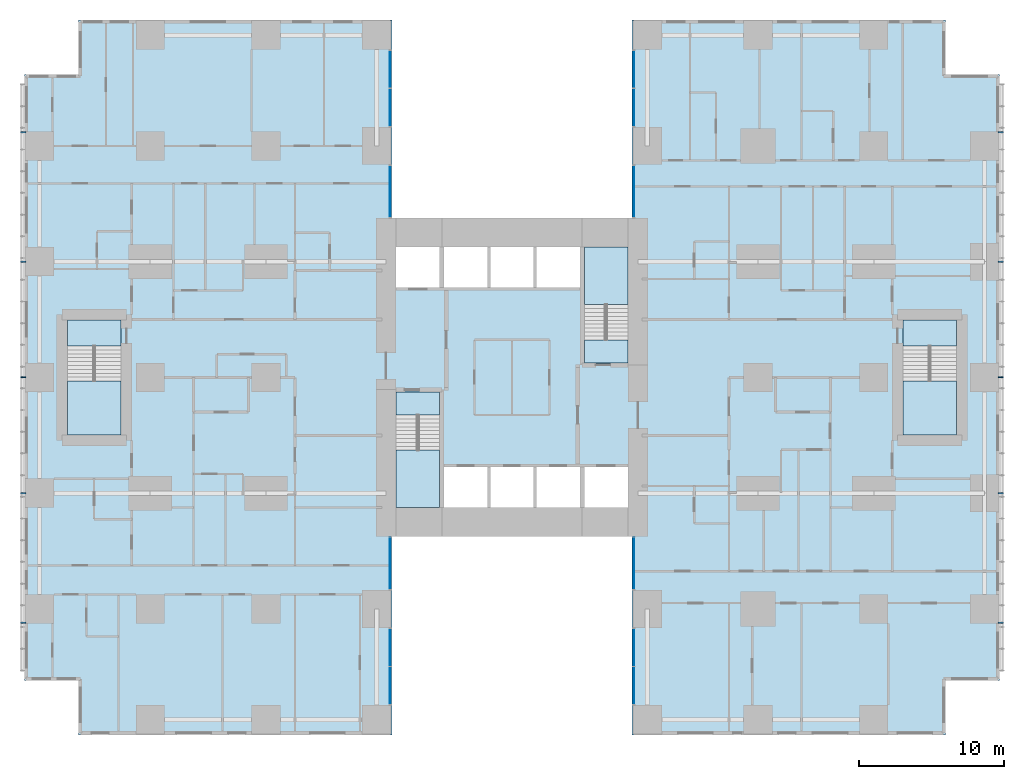
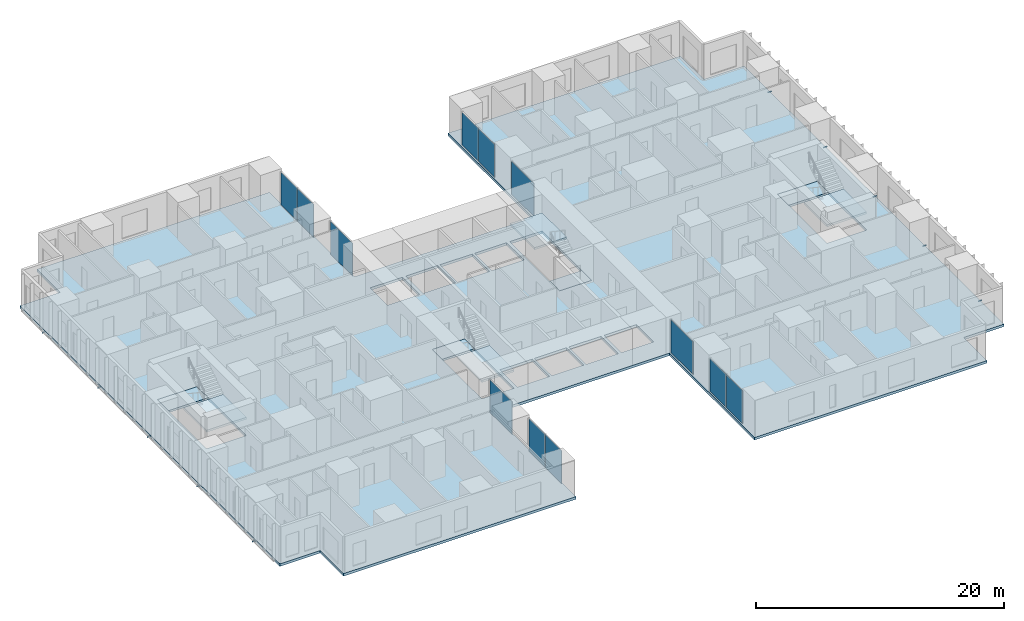
# One storey, part 7 of 20: 12 plates, 10 members, 9 slabs, 12 elements without a shape of their own.
"""IFC4 building model written with IfcOpenShell, lengths in metres."""

from ifc_helpers import new_model, si_unit, direction, frame, origin, origin_2d, place, context, subcontext, project, spatial, polyline, rectangle, hollow_rectangle, outline, extrude, material, layer, layer_set, material_profile, profile_set, type_object, element, aggregate, save


model = new_model("IFC4")

# Units and contexts
model_context = context("Model", 3, precision=1e-05, world=origin(), true_north=direction((0.0, 1.0)))
body_context = subcontext(model_context, "Body", "Model", "MODEL_VIEW")
ifc_project = project(units=[si_unit("LENGTHUNIT", "METRE"), si_unit("AREAUNIT", "SQUARE_METRE"), si_unit("VOLUMEUNIT", "CUBIC_METRE"), si_unit("PLANEANGLEUNIT", "RADIAN"), si_unit("MASSUNIT", "GRAM", prefix="KILO")], contexts=[model_context])

# Site, building, storey
site_placement = place(None, origin())
site = spatial("IfcSite", under=ifc_project, at=site_placement, CompositionType="ELEMENT")
building_placement = place(site_placement, origin())
building = spatial("IfcBuilding", under=site, at=building_placement, Name="Cleftline Residences", CompositionType="ELEMENT")
storey_placement = place(building_placement, frame((0.0, 0.0, 143.0)))
storey = spatial("IfcBuildingStorey", under=building, at=storey_placement, Name="L37", CompositionType="ELEMENT", Elevation=143.0)

# Members
ifc_material_1 = material(Name="Steel S355, hot-dip galvanised", Category="steel")
ifc_material_profile = material_profile(ifc_material_1, hollow_rectangle(XDim=0.10009765625, YDim=0.10009765625, WallThickness=0.008056640625, InnerFilletRadius=0.008056640625, OuterFilletRadius=0.011962890625, at=origin_2d()))
ifc_profile_set = profile_set([ifc_material_profile], Name="Steel S355, hot-dip galvanised")
member_type = type_object("IfcMemberType", Name="BAGUETTE BRACKET SHS 100X100X8", PredefinedType="USERDEFINED", material=ifc_profile_set)
for number, where, z_axis, x_axis, name in (
    (1, (66.60009765625, 7.050048828125, -0.14990234375), (1.0, 0.0, 0.0), (0.0, 1.0, 0.0), "Baguette bracket"),
    (2, (66.60009765625, 16.0, -0.14990234375), (1.0, 0.0, 0.0), (0.0, 1.0, 0.0), "Baguette bracket"),
    (3, (66.60009765625, 24.0, -0.14990234375), (1.0, 0.0, 0.0), (0.0, 1.0, 0.0), "Baguette bracket"),
    (4, (66.60009765625, 32.0, -0.14990234375), (1.0, 0.0, 0.0), (0.0, 1.0, 0.0), "Baguette bracket"),
    (5, (66.60009765625, 40.949951171875, -0.14990234375), (1.0, 0.0, 0.0), (0.0, 1.0, 0.0), "Baguette bracket"),
    (6, (-0.60009765625, 40.949951171875, -0.14990234375), (-1.0, 0.0, 0.0), (0.0, -1.0, 0.0), "Baguette bracket"),
    (7, (-0.60009765625, 32.0, -0.14990234375), (-1.0, 0.0, 0.0), (0.0, -1.0, 0.0), "Baguette bracket"),
    (8, (-0.60009765625, 24.0, -0.14990234375), (-1.0, 0.0, 0.0), (0.0, -1.0, 0.0), "Baguette bracket"),
    (9, (-0.60009765625, 16.0, -0.14990234375), (-1.0, 0.0, 0.0), (0.0, -1.0, 0.0), "Baguette bracket"),
    (10, (-0.60009765625, 7.050048828125, -0.14990234375), (-1.0, 0.0, 0.0), (0.0, -1.0, 0.0), "Baguette bracket"),
):
    element("IfcMember", number, at=place(storey_placement, frame(where, z_axis=z_axis, x_axis=x_axis)), inside=storey, type_object=member_type, Name=name, ObjectType="BAGUETTE BRACKET", PredefinedType="USERDEFINED", context=body_context, shape_type="SweptSolid", body=[
        extrude(hollow_rectangle(XDim=0.10009765625, YDim=0.10009765625, WallThickness=0.008056640625, InnerFilletRadius=0.008056640625, OuterFilletRadius=0.011962890625, at=origin_2d()), origin(), (0.0, 0.0, 1.0), 0.349853515625),
    ])

# Curtain wall, plates
ifc_material_2 = material(Name="Aluminium framed curtain wall", Category="aluminium")
ifc_layer_1 = layer(ifc_material_2, 0.199951171875)
ifc_layer_set_1 = layer_set([ifc_layer_1], Name="CW1 CLEFT GLAZING")
curtain_wall_type = type_object("IfcCurtainWallType", Name="CW1 CLEFT GLAZING", PredefinedType="NOTDEFINED", material=ifc_layer_set_1)
curtain_wall_1_placement = place(storey_placement, origin())
curtain_wall_1 = element("IfcCurtainWall", 11, at=curtain_wall_1_placement, inside=storey, type_object=curtain_wall_type, Name="Curtain wall CW1", PredefinedType="NOTDEFINED")
ifc_material_3 = material(Name="Laminated clear glass", Category="glass")
ifc_layer_2 = layer(ifc_material_3, 0.028076171875)
ifc_layer_set_2 = layer_set([ifc_layer_2], Name="CW1 GLASS PANEL")
plate_type = type_object("IfcPlateType", Name="CW1 GLASS PANEL", PredefinedType="CURTAIN_PANEL", material=ifc_layer_set_2)
plate_1_placement = place(storey_placement, frame((24.574951171875, 2.702392578125, 0.06005859375), z_axis=(0.0, 0.0, 1.0), x_axis=(0.0, 1.0, 0.0)))
plate_1 = element("IfcPlate", 12, at=plate_1_placement, type_object=plate_type, Name="CW1 panel 1.1", PredefinedType="CURTAIN_PANEL", context=body_context, shape_type="SweptSolid", body=[
    extrude(rectangle(XDim=2.5849609375, YDim=0.028076171875, at=origin_2d()), origin(), (0.0, 0.0, 1.0), 3.22998046875),
])
plate_2_placement = place(storey_placement, frame((24.574951171875, 5.347412109375, 0.06005859375), z_axis=(0.0, 0.0, 1.0), x_axis=(0.0, 1.0, 0.0)))
plate_2 = element("IfcPlate", 13, at=plate_2_placement, type_object=plate_type, Name="CW1 panel 2.1", PredefinedType="CURTAIN_PANEL", context=body_context, shape_type="SweptSolid", body=[
    extrude(rectangle(XDim=2.5849609375, YDim=0.028076171875, at=origin_2d()), origin(), (0.0, 0.0, 1.0), 3.22998046875),
])
aggregate(curtain_wall_1, [plate_1, plate_2])

# Curtain wall, plate
curtain_wall_2_placement = place(storey_placement, origin())
curtain_wall_2 = element("IfcCurtainWall", 14, at=curtain_wall_2_placement, inside=storey, type_object=curtain_wall_type, Name="Curtain wall CW1", PredefinedType="NOTDEFINED")
plate_3_placement = place(storey_placement, frame((24.574951171875, 11.14990234375, 0.06005859375), z_axis=(0.0, 0.0, 1.0), x_axis=(0.0, 1.0, 0.0)))
plate_3 = element("IfcPlate", 15, at=plate_3_placement, type_object=plate_type, Name="CW1 panel 1.1", PredefinedType="CURTAIN_PANEL", context=body_context, shape_type="SweptSolid", body=[
    extrude(rectangle(XDim=3.580078125, YDim=0.028076171875, at=origin_2d()), origin(), (0.0, 0.0, 1.0), 3.22998046875),
])
aggregate(curtain_wall_2, [plate_3])

curtain_wall_3_placement = place(storey_placement, origin())
curtain_wall_3 = element("IfcCurtainWall", 16, at=curtain_wall_3_placement, inside=storey, type_object=curtain_wall_type, Name="Curtain wall CW1", PredefinedType="NOTDEFINED")
plate_4_placement = place(storey_placement, frame((41.425048828125, 11.14990234375, 0.06005859375), z_axis=(0.0, 0.0, 1.0), x_axis=(0.0, -1.0, 0.0)))
plate_4 = element("IfcPlate", 17, at=plate_4_placement, type_object=plate_type, Name="CW1 panel 1.1", PredefinedType="CURTAIN_PANEL", context=body_context, shape_type="SweptSolid", body=[
    extrude(rectangle(XDim=3.580078125, YDim=0.028076171875, at=origin_2d()), origin(), (0.0, 0.0, 1.0), 3.22998046875),
])
aggregate(curtain_wall_3, [plate_4])

# Curtain wall, plates
curtain_wall_4_placement = place(storey_placement, origin())
curtain_wall_4 = element("IfcCurtainWall", 18, at=curtain_wall_4_placement, inside=storey, type_object=curtain_wall_type, Name="Curtain wall CW1", PredefinedType="NOTDEFINED")
plate_5_placement = place(storey_placement, frame((41.425048828125, 5.347412109375, 0.06005859375), z_axis=(0.0, 0.0, 1.0), x_axis=(0.0, -1.0, 0.0)))
plate_5 = element("IfcPlate", 19, at=plate_5_placement, type_object=plate_type, Name="CW1 panel 1.1", PredefinedType="CURTAIN_PANEL", context=body_context, shape_type="SweptSolid", body=[
    extrude(rectangle(XDim=2.5849609375, YDim=0.028076171875, at=origin_2d()), origin(), (0.0, 0.0, 1.0), 3.22998046875),
])
plate_6_placement = place(storey_placement, frame((41.425048828125, 2.702392578125, 0.06005859375), z_axis=(0.0, 0.0, 1.0), x_axis=(0.0, -1.0, 0.0)))
plate_6 = element("IfcPlate", 20, at=plate_6_placement, type_object=plate_type, Name="CW1 panel 2.1", PredefinedType="CURTAIN_PANEL", context=body_context, shape_type="SweptSolid", body=[
    extrude(rectangle(XDim=2.5849609375, YDim=0.028076171875, at=origin_2d()), origin(), (0.0, 0.0, 1.0), 3.22998046875),
])
aggregate(curtain_wall_4, [plate_5, plate_6])

curtain_wall_5_placement = place(storey_placement, origin())
curtain_wall_5 = element("IfcCurtainWall", 21, at=curtain_wall_5_placement, inside=storey, type_object=curtain_wall_type, Name="Curtain wall CW1", PredefinedType="NOTDEFINED")
plate_7_placement = place(storey_placement, frame((41.425048828125, 45.297607421875, 0.06005859375), z_axis=(0.0, 0.0, 1.0), x_axis=(0.0, -1.0, 0.0)))
plate_7 = element("IfcPlate", 22, at=plate_7_placement, type_object=plate_type, Name="CW1 panel 1.1", PredefinedType="CURTAIN_PANEL", context=body_context, shape_type="SweptSolid", body=[
    extrude(rectangle(XDim=2.5849609375, YDim=0.028076171875, at=origin_2d()), origin(), (0.0, 0.0, 1.0), 3.22998046875),
])
plate_8_placement = place(storey_placement, frame((41.425048828125, 42.652587890625, 0.06005859375), z_axis=(0.0, 0.0, 1.0), x_axis=(0.0, -1.0, 0.0)))
plate_8 = element("IfcPlate", 23, at=plate_8_placement, type_object=plate_type, Name="CW1 panel 2.1", PredefinedType="CURTAIN_PANEL", context=body_context, shape_type="SweptSolid", body=[
    extrude(rectangle(XDim=2.5849609375, YDim=0.028076171875, at=origin_2d()), origin(), (0.0, 0.0, 1.0), 3.22998046875),
])
aggregate(curtain_wall_5, [plate_7, plate_8])

# Curtain wall, plate
curtain_wall_6_placement = place(storey_placement, origin())
curtain_wall_6 = element("IfcCurtainWall", 24, at=curtain_wall_6_placement, inside=storey, type_object=curtain_wall_type, Name="Curtain wall CW1", PredefinedType="NOTDEFINED")
plate_9_placement = place(storey_placement, frame((41.425048828125, 36.85009765625, 0.06005859375), z_axis=(0.0, 0.0, 1.0), x_axis=(0.0, -1.0, 0.0)))
plate_9 = element("IfcPlate", 25, at=plate_9_placement, type_object=plate_type, Name="CW1 panel 1.1", PredefinedType="CURTAIN_PANEL", context=body_context, shape_type="SweptSolid", body=[
    extrude(rectangle(XDim=3.580078125, YDim=0.028076171875, at=origin_2d()), origin(), (0.0, 0.0, 1.0), 3.22998046875),
])
aggregate(curtain_wall_6, [plate_9])

curtain_wall_7_placement = place(storey_placement, origin())
curtain_wall_7 = element("IfcCurtainWall", 26, at=curtain_wall_7_placement, inside=storey, type_object=curtain_wall_type, Name="Curtain wall CW1", PredefinedType="NOTDEFINED")
plate_10_placement = place(storey_placement, frame((24.574951171875, 36.85009765625, 0.06005859375), z_axis=(0.0, 0.0, 1.0), x_axis=(0.0, 1.0, 0.0)))
plate_10 = element("IfcPlate", 27, at=plate_10_placement, type_object=plate_type, Name="CW1 panel 1.1", PredefinedType="CURTAIN_PANEL", context=body_context, shape_type="SweptSolid", body=[
    extrude(rectangle(XDim=3.580078125, YDim=0.028076171875, at=origin_2d()), origin(), (0.0, 0.0, 1.0), 3.22998046875),
])
aggregate(curtain_wall_7, [plate_10])

# Curtain wall, plates
curtain_wall_8_placement = place(storey_placement, origin())
curtain_wall_8 = element("IfcCurtainWall", 28, at=curtain_wall_8_placement, inside=storey, type_object=curtain_wall_type, Name="Curtain wall CW1", PredefinedType="NOTDEFINED")
plate_11_placement = place(storey_placement, frame((24.574951171875, 42.652587890625, 0.06005859375), z_axis=(0.0, 0.0, 1.0), x_axis=(0.0, 1.0, 0.0)))
plate_11 = element("IfcPlate", 29, at=plate_11_placement, type_object=plate_type, Name="CW1 panel 1.1", PredefinedType="CURTAIN_PANEL", context=body_context, shape_type="SweptSolid", body=[
    extrude(rectangle(XDim=2.5849609375, YDim=0.028076171875, at=origin_2d()), origin(), (0.0, 0.0, 1.0), 3.22998046875),
])
plate_12_placement = place(storey_placement, frame((24.574951171875, 45.297607421875, 0.06005859375), z_axis=(0.0, 0.0, 1.0), x_axis=(0.0, 1.0, 0.0)))
plate_12 = element("IfcPlate", 30, at=plate_12_placement, type_object=plate_type, Name="CW1 panel 2.1", PredefinedType="CURTAIN_PANEL", context=body_context, shape_type="SweptSolid", body=[
    extrude(rectangle(XDim=2.5849609375, YDim=0.028076171875, at=origin_2d()), origin(), (0.0, 0.0, 1.0), 3.22998046875),
])
aggregate(curtain_wall_8, [plate_11, plate_12])

# Slab
ifc_material_4 = material(Name="Concrete B45", Category="concrete")
ifc_layer_3 = layer(ifc_material_4, 0.25)
ifc_layer_set_3 = layer_set([ifc_layer_3], Name="FLOOR SLAB 250")
slab_type_1 = type_object("IfcSlabType", Name="FLOOR SLAB 250", PredefinedType="FLOOR", material=ifc_layer_set_3)
slab_1_placement = place(storey_placement, frame((0.0, 0.0, -0.25)))
element("IfcSlab", 31, at=slab_1_placement, inside=storey, type_object=slab_type_1, Name="Floor slab L37", PredefinedType="FLOOR", context=body_context, shape_type="SweptSolid", body=[
    extrude(outline(polyline([(24.699951171875, 13.0), (41.300048828125, 13.0), (41.300048828125, -0.699951171875), (62.949951171875, -0.699951171875), (62.949951171875, 3.050048828125), (66.699951171875, 3.050048828125), (66.699951171875, 44.949951171875), (62.949951171875, 44.949951171875), (62.949951171875, 48.699951171875), (41.300048828125, 48.699951171875), (41.300048828125, 35.0), (24.699951171875, 35.0), (24.699951171875, 48.699951171875), (3.050048828125, 48.699951171875), (3.050048828125, 44.949951171875), (-0.699951171875, 44.949951171875), (-0.699951171875, 3.050048828125), (3.050048828125, 3.050048828125), (3.050048828125, -0.699951171875), (24.699951171875, -0.699951171875), (24.699951171875, 13.0)]), holes=[polyline([(28.0, 15.0), (28.0, 23.0), (25.0, 23.0), (25.0, 15.0), (28.0, 15.0)]), polyline([(41.0, 25.0), (41.0, 33.0), (38.0, 33.0), (38.0, 25.0), (41.0, 25.0)]), polyline([(28.0, 30.199951171875), (28.0, 33.0), (25.0, 33.0), (25.0, 30.199951171875), (28.0, 30.199951171875)]), polyline([(41.0, 15.0), (41.0, 17.800048828125), (38.0, 17.800048828125), (38.0, 15.0), (41.0, 15.0)]), polyline([(31.300048828125, 15.0), (31.300048828125, 17.800048828125), (28.300048828125, 17.800048828125), (28.300048828125, 15.0), (31.300048828125, 15.0)]), polyline([(34.5, 15.0), (34.5, 17.800048828125), (31.5, 17.800048828125), (31.5, 15.0), (34.5, 15.0)]), polyline([(37.699951171875, 15.0), (37.699951171875, 17.800048828125), (34.699951171875, 17.800048828125), (34.699951171875, 15.0), (37.699951171875, 15.0)]), polyline([(31.300048828125, 30.199951171875), (31.300048828125, 33.0), (28.300048828125, 33.0), (28.300048828125, 30.199951171875), (31.300048828125, 30.199951171875)]), polyline([(34.5, 30.199951171875), (34.5, 33.0), (31.5, 33.0), (31.5, 30.199951171875), (34.5, 30.199951171875)]), polyline([(37.699951171875, 30.199951171875), (37.699951171875, 33.0), (34.699951171875, 33.0), (34.699951171875, 30.199951171875), (37.699951171875, 30.199951171875)]), polyline([(63.72509765625, 20.02490234375), (63.72509765625, 27.97509765625), (60.02490234375, 27.97509765625), (60.02490234375, 20.02490234375), (63.72509765625, 20.02490234375)]), polyline([(5.97509765625, 20.02490234375), (5.97509765625, 27.97509765625), (2.27490234375, 27.97509765625), (2.27490234375, 20.02490234375), (5.97509765625, 20.02490234375)])]), origin(), (0.0, 0.0, 1.0), 0.25),
])

# Stair, slabs
ifc_material_5 = material(Name="Concrete B45, stone treads", Category="masonry")
stair_type_1 = type_object("IfcStairType", Name="STAIR A 1450 WIDE 180 RISER", PredefinedType="HALF_TURN_STAIR", material=ifc_material_5)
stair_1_placement = place(storey_placement, origin())
stair_1 = element("IfcStair", 32, at=stair_1_placement, inside=storey, type_object=stair_type_1, Name="Stair A L37", PredefinedType="HALF_TURN_STAIR")
ifc_material_6 = material(Name="Concrete B45", Category="concrete")
ifc_layer_4 = layer(ifc_material_6, 0.199951171875)
ifc_layer_set_4 = layer_set([ifc_layer_4], Name="STAIR LANDING 200")
slab_type_2 = type_object("IfcSlabType", Name="STAIR LANDING 200", PredefinedType="LANDING", material=ifc_layer_set_4)
slab_2_placement = place(storey_placement, frame((0.0, 0.0, -0.199951171875)))
slab_2 = element("IfcSlab", 33, at=slab_2_placement, type_object=slab_type_2, Name="ST-A landing 1", PredefinedType="LANDING", context=body_context, shape_type="SweptSolid", body=[
    extrude(outline(polyline([(25.0, 21.39990234375), (28.0, 21.39990234375), (28.0, 23.0), (25.0, 23.0), (25.0, 21.39990234375)])), origin(), (0.0, 0.0, 1.0), 0.199951171875),
])
slab_3_placement = place(storey_placement, frame((0.0, 0.0, 1.60009765625)))
slab_3 = element("IfcSlab", 34, at=slab_3_placement, type_object=slab_type_2, Name="ST-A landing 2", PredefinedType="LANDING", context=body_context, shape_type="SweptSolid", body=[
    extrude(outline(polyline([(25.0, 15.0), (28.0, 15.0), (28.0, 18.969970703125), (25.0, 18.969970703125), (25.0, 15.0)])), origin(), (0.0, 0.0, 1.0), 0.199951171875),
])
aggregate(stair_1, [slab_2, slab_3])

ifc_material_7 = material(Name="Concrete B45, stone treads", Category="masonry")
stair_type_2 = type_object("IfcStairType", Name="STAIR B 1450 WIDE 180 RISER", PredefinedType="HALF_TURN_STAIR", material=ifc_material_7)
stair_2_placement = place(storey_placement, origin())
stair_2 = element("IfcStair", 35, at=stair_2_placement, inside=storey, type_object=stair_type_2, Name="Stair B L37", PredefinedType="HALF_TURN_STAIR")
slab_4_placement = place(storey_placement, frame((0.0, 0.0, -0.199951171875)))
slab_4 = element("IfcSlab", 36, at=slab_4_placement, type_object=slab_type_2, Name="ST-B landing 1", PredefinedType="LANDING", context=body_context, shape_type="SweptSolid", body=[
    extrude(outline(polyline([(38.0, 25.0), (41.0, 25.0), (41.0, 26.60009765625), (38.0, 26.60009765625), (38.0, 25.0)])), origin(), (0.0, 0.0, 1.0), 0.199951171875),
])
slab_5_placement = place(storey_placement, frame((0.0, 0.0, 1.60009765625)))
slab_5 = element("IfcSlab", 37, at=slab_5_placement, type_object=slab_type_2, Name="ST-B landing 2", PredefinedType="LANDING", context=body_context, shape_type="SweptSolid", body=[
    extrude(outline(polyline([(38.0, 29.030029296875), (41.0, 29.030029296875), (41.0, 33.0), (38.0, 33.0), (38.0, 29.030029296875)])), origin(), (0.0, 0.0, 1.0), 0.199951171875),
])
aggregate(stair_2, [slab_4, slab_5])

ifc_material_8 = material(Name="Concrete B45, stone treads", Category="masonry")
stair_type_3 = type_object("IfcStairType", Name="STAIR E 1800 WIDE 180 RISER", PredefinedType="HALF_TURN_STAIR", material=ifc_material_8)
stair_3_placement = place(storey_placement, origin())
stair_3 = element("IfcStair", 38, at=stair_3_placement, inside=storey, type_object=stair_type_3, Name="Stair E L37", PredefinedType="HALF_TURN_STAIR")
slab_6_placement = place(storey_placement, frame((0.0, 0.0, -0.199951171875)))
slab_6 = element("IfcSlab", 39, at=slab_6_placement, type_object=slab_type_2, Name="ST-E landing 1", PredefinedType="LANDING", context=body_context, shape_type="SweptSolid", body=[
    extrude(outline(polyline([(60.02490234375, 26.175048828125), (63.72509765625, 26.175048828125), (63.72509765625, 27.97509765625), (60.02490234375, 27.97509765625), (60.02490234375, 26.175048828125)])), origin(), (0.0, 0.0, 1.0), 0.199951171875),
])
slab_7_placement = place(storey_placement, frame((0.0, 0.0, 1.60009765625)))
slab_7 = element("IfcSlab", 40, at=slab_7_placement, type_object=slab_type_2, Name="ST-E landing 2", PredefinedType="LANDING", context=body_context, shape_type="SweptSolid", body=[
    extrude(outline(polyline([(60.02490234375, 20.02490234375), (63.72509765625, 20.02490234375), (63.72509765625, 23.7451171875), (60.02490234375, 23.7451171875), (60.02490234375, 20.02490234375)])), origin(), (0.0, 0.0, 1.0), 0.199951171875),
])
aggregate(stair_3, [slab_6, slab_7])

ifc_material_9 = material(Name="Concrete B45, stone treads", Category="masonry")
stair_type_4 = type_object("IfcStairType", Name="STAIR W 1800 WIDE 180 RISER", PredefinedType="HALF_TURN_STAIR", material=ifc_material_9)
stair_4_placement = place(storey_placement, origin())
stair_4 = element("IfcStair", 41, at=stair_4_placement, inside=storey, type_object=stair_type_4, Name="Stair W L37", PredefinedType="HALF_TURN_STAIR")
slab_8_placement = place(storey_placement, frame((0.0, 0.0, -0.199951171875)))
slab_8 = element("IfcSlab", 42, at=slab_8_placement, type_object=slab_type_2, Name="ST-W landing 1", PredefinedType="LANDING", context=body_context, shape_type="SweptSolid", body=[
    extrude(outline(polyline([(2.27490234375, 26.175048828125), (5.97509765625, 26.175048828125), (5.97509765625, 27.97509765625), (2.27490234375, 27.97509765625), (2.27490234375, 26.175048828125)])), origin(), (0.0, 0.0, 1.0), 0.199951171875),
])
slab_9_placement = place(storey_placement, frame((0.0, 0.0, 1.60009765625)))
slab_9 = element("IfcSlab", 43, at=slab_9_placement, type_object=slab_type_2, Name="ST-W landing 2", PredefinedType="LANDING", context=body_context, shape_type="SweptSolid", body=[
    extrude(outline(polyline([(2.27490234375, 20.02490234375), (5.97509765625, 20.02490234375), (5.97509765625, 23.7451171875), (2.27490234375, 23.7451171875), (2.27490234375, 20.02490234375)])), origin(), (0.0, 0.0, 1.0), 0.199951171875),
])
aggregate(stair_4, [slab_8, slab_9])

save(model, "model.ifc")
